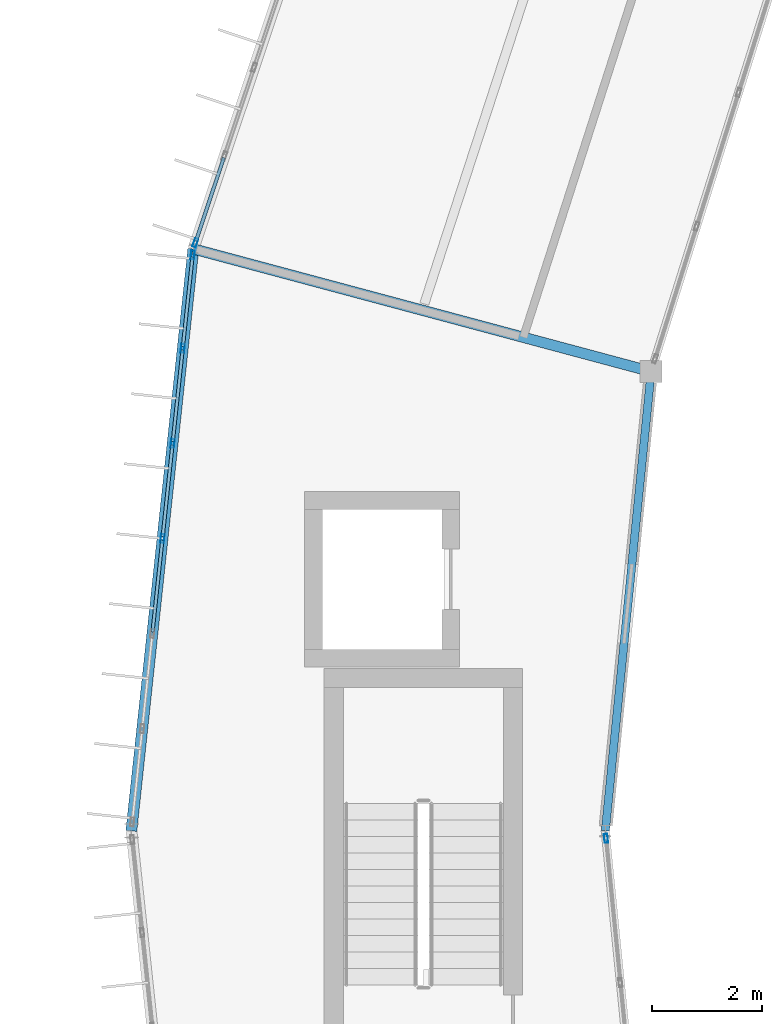
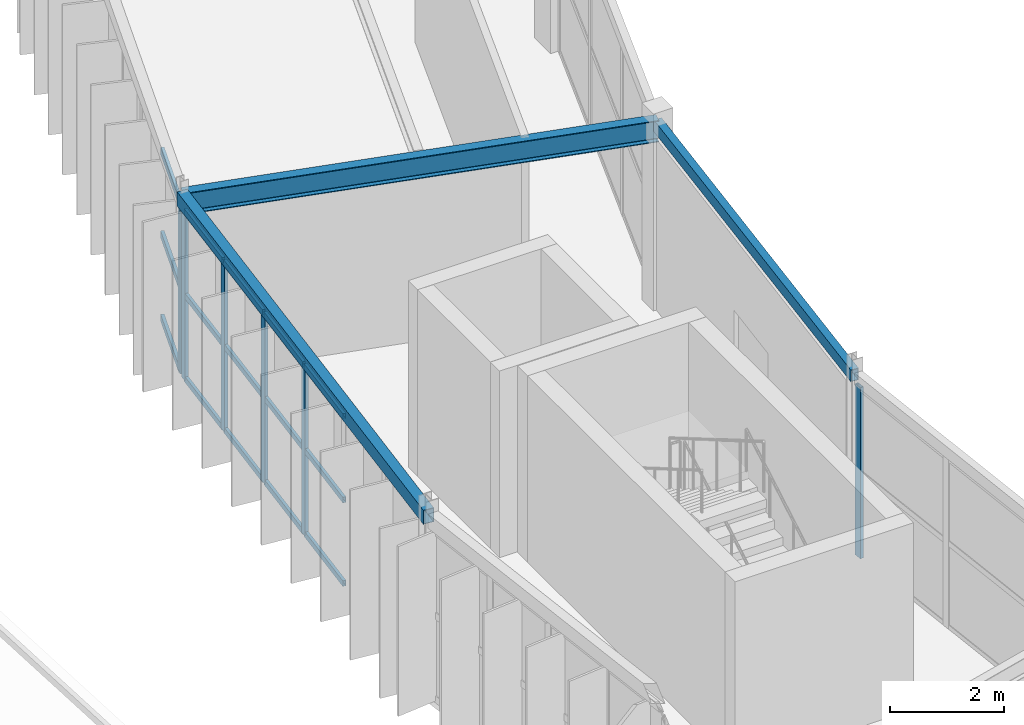
# One storey, part 42 of 134: 21 members, 3 beams, 3 elements without a shape of their own.
"""IFC4 building model written with IfcOpenShell, lengths in metres."""

from ifc_helpers import new_model, si_unit, direction, frame, origin, origin_2d, place, context, subcontext, project, spatial, hollow_rectangle, i_section, extrude, material, material_profile, profile_set, type_object, element, aggregate, save


model = new_model("IFC4")

# Units and contexts
model_context = context("Model", 3, precision=1e-05, world=origin(), true_north=direction((0.0, 1.0)))
body_context = subcontext(model_context, "Body", "Model", "MODEL_VIEW")
ifc_project = project(units=[si_unit("LENGTHUNIT", "METRE"), si_unit("AREAUNIT", "SQUARE_METRE"), si_unit("VOLUMEUNIT", "CUBIC_METRE"), si_unit("PLANEANGLEUNIT", "RADIAN"), si_unit("MASSUNIT", "GRAM", prefix="KILO")], contexts=[model_context])

# Site, building, storey
site_placement = place(None, origin())
site = spatial("IfcSite", under=ifc_project, at=site_placement, CompositionType="ELEMENT")
building_placement = place(site_placement, origin())
building = spatial("IfcBuilding", under=site, at=building_placement, Name="Karori Crest Natural Sciences Institute", CompositionType="ELEMENT")
storey_placement = place(building_placement, frame((0.0, 0.0, 21.699951171875)))
storey = spatial("IfcBuildingStorey", under=building, at=storey_placement, Name="L05", CompositionType="ELEMENT", Elevation=21.699951171875)

# Beams
ifc_material_1 = material(Name="Structural steel AS/NZS 3679.1 Grade 350", Category="steel")
ifc_material_profile_1 = material_profile(ifc_material_1, i_section(OverallWidth=0.19091796875, OverallDepth=0.4599609375, WebThickness=0.010009765625, FlangeThickness=0.01611328125, FilletRadius=0.010986328125, at=origin_2d()), Name="460UB82.1")
ifc_profile_set_1 = profile_set([ifc_material_profile_1], Name="Structural steel AS/NZS 3679.1 Grade 350")
beam_type_1 = type_object("IfcBeamType", Name="BT-06", PredefinedType="BEAM", material=ifc_profile_set_1)
beam_1_placement = place(storey_placement, frame((42.831298828125, 58.23388671875, 3.7099609375), z_axis=(-0.965925622404, 0.258819806009, 0.0), x_axis=(-0.258819806009, -0.965925622404, 0.0)))
element("IfcBeam", 1, at=beam_1_placement, inside=storey, type_object=beam_type_1, Name="Beam B-0585", PredefinedType="BEAM", context=body_context, shape_type="SweptSolid", body=[
    extrude(i_section(OverallWidth=0.19091796875, OverallDepth=0.4599609375, WebThickness=0.010009765625, FlangeThickness=0.01611328125, FilletRadius=0.010986328125, at=origin_2d()), origin(), (0.0, 0.0, 1.0), 8.599853515625),
])
ifc_material_2 = material(Name="Hollow structural steel AS/NZS 1163 Grade C350", Category="steel")
ifc_material_profile_2 = material_profile(ifc_material_2, hollow_rectangle(XDim=0.199951171875, YDim=0.300048828125, WallThickness=0.010009765625, at=origin_2d()), Name="RHS300x200x10")
ifc_profile_set_2 = profile_set([ifc_material_profile_2], Name="Hollow structural steel AS/NZS 1163 Grade C350")
beam_type_2 = type_object("IfcBeamType", Name="BT-15", PredefinedType="SPANDREL", material=ifc_profile_set_2)
beam_2_placement = place(storey_placement, frame((34.5244140625, 60.459716796875, 3.7900390625), z_axis=(-0.105891010563, -0.994377742049, 0.0), x_axis=(0.994377742049, -0.105891010563, 0.0)))
element("IfcBeam", 2, at=beam_2_placement, inside=storey, type_object=beam_type_2, Name="Beam B-0583", PredefinedType="SPANDREL", context=body_context, shape_type="SweptSolid", body=[
    extrude(hollow_rectangle(XDim=0.199951171875, YDim=0.300048828125, WallThickness=0.010009765625, at=origin_2d()), origin(), (0.0, 0.0, 1.0), 10.61962890625),
])
ifc_material_profile_3 = material_profile(ifc_material_2, hollow_rectangle(XDim=0.14990234375, YDim=0.25, WallThickness=0.009033203125, at=origin_2d()), Name="RHS250x150x9")
ifc_profile_set_3 = profile_set([ifc_material_profile_3], Name="Hollow structural steel AS/NZS 1163 Grade C350")
beam_type_3 = type_object("IfcBeamType", Name="BT-16", PredefinedType="SPANDREL", material=ifc_profile_set_3)
beam_3_placement = place(storey_placement, frame((42.831298828125, 58.23388671875, 3.7900390625), z_axis=(-0.099255508608, -0.995061979985, 0.0), x_axis=(0.995061979985, -0.099255508608, 0.0)))
element("IfcBeam", 3, at=beam_3_placement, inside=storey, type_object=beam_type_3, Name="Beam B-0584", PredefinedType="SPANDREL", context=body_context, shape_type="SweptSolid", body=[
    extrude(hollow_rectangle(XDim=0.14990234375, YDim=0.25, WallThickness=0.009033203125, at=origin_2d()), origin(), (0.0, 0.0, 1.0), 8.375244140625),
])

# Curtain wall, member
ifc_material_3 = material(Name="Anodised architectural aluminium 6063-T6", Category="aluminium")
curtain_wall_type_1 = type_object("IfcCurtainWallType", Name="CWT-01", PredefinedType="NOTDEFINED", material=ifc_material_3)
curtain_wall_1_placement = place(storey_placement, origin())
curtain_wall_1 = element("IfcCurtainWall", 4, at=curtain_wall_1_placement, inside=storey, type_object=curtain_wall_type_1, Name="Curtain wall CW-0187", PredefinedType="NOTDEFINED")
ifc_material_profile_4 = material_profile(ifc_material_3, hollow_rectangle(XDim=0.06494140625, YDim=0.159912109375, WallThickness=0.00390625, at=origin_2d()), Name="CWM160x65x4")
ifc_profile_set_4 = profile_set([ifc_material_profile_4], Name="Anodised architectural aluminium 6063-T6")
member_type_1 = type_object("IfcMemberType", Name="CWM-01", PredefinedType="MULLION", material=ifc_profile_set_4)
member_1_placement = place(storey_placement, frame((34.561279296875, 60.56982421875, 0.0), z_axis=(0.0, 0.0, 1.0), x_axis=(-0.94819805026, 0.317679803392, 0.0)))
member_1 = element("IfcMember", 5, at=member_1_placement, type_object=member_type_1, Name="CW-0187 mullion 1", PredefinedType="MULLION", context=body_context, shape_type="SweptSolid", body=[
    extrude(hollow_rectangle(XDim=0.06494140625, YDim=0.159912109375, WallThickness=0.00390625, at=origin_2d()), origin(), (0.0, 0.0, 1.0), 3.625),
])

# Curtain wall, members
curtain_wall_type_2 = type_object("IfcCurtainWallType", Name="CWT-02", PredefinedType="NOTDEFINED", material=ifc_material_3)
curtain_wall_2_placement = place(storey_placement, origin())
curtain_wall_2 = element("IfcCurtainWall", 6, at=curtain_wall_2_placement, inside=storey, type_object=curtain_wall_type_2, Name="Curtain wall CW-0189", PredefinedType="NOTDEFINED")
member_2_placement = place(storey_placement, frame((33.96484375, 55.204345703125, 0.0), z_axis=(0.0, 0.0, 1.0), x_axis=(-0.994378309998, 0.105885677057, 0.0)))
member_2 = element("IfcMember", 7, at=member_2_placement, type_object=member_type_1, Name="CW-0189 mullion 4", PredefinedType="MULLION", context=body_context, shape_type="SweptSolid", body=[
    extrude(hollow_rectangle(XDim=0.06494140625, YDim=0.159912109375, WallThickness=0.00390625, at=origin_2d()), origin(), (0.0, 0.0, 1.0), 3.625),
])
member_3_placement = place(storey_placement, frame((34.1484375, 56.9296875, 0.0), z_axis=(0.0, 0.0, 1.0), x_axis=(-0.994378309998, 0.105885677057, 0.0)))
member_3 = element("IfcMember", 8, at=member_3_placement, type_object=member_type_1, Name="CW-0189 mullion 5", PredefinedType="MULLION", context=body_context, shape_type="SweptSolid", body=[
    extrude(hollow_rectangle(XDim=0.06494140625, YDim=0.159912109375, WallThickness=0.00390625, at=origin_2d()), origin(), (0.0, 0.0, 1.0), 3.625),
])
member_4_placement = place(storey_placement, frame((34.332275390625, 58.6552734375, 0.0), z_axis=(0.0, 0.0, 1.0), x_axis=(-0.994378309998, 0.105885677057, 0.0)))
member_4 = element("IfcMember", 9, at=member_4_placement, type_object=member_type_1, Name="CW-0189 mullion 6", PredefinedType="MULLION", context=body_context, shape_type="SweptSolid", body=[
    extrude(hollow_rectangle(XDim=0.06494140625, YDim=0.159912109375, WallThickness=0.00390625, at=origin_2d()), origin(), (0.0, 0.0, 1.0), 3.625),
])
member_5_placement = place(storey_placement, frame((34.512451171875, 60.348388671875, 0.0), z_axis=(0.0, 0.0, 1.0), x_axis=(-0.994378309998, 0.105885677057, 0.0)))
member_5 = element("IfcMember", 10, at=member_5_placement, type_object=member_type_1, Name="CW-0189 mullion 7", PredefinedType="MULLION", context=body_context, shape_type="SweptSolid", body=[
    extrude(hollow_rectangle(XDim=0.06494140625, YDim=0.159912109375, WallThickness=0.00390625, at=origin_2d()), origin(), (0.0, 0.0, 1.0), 3.625),
])

# Curtain wall, member
curtain_wall_type_3 = type_object("IfcCurtainWallType", Name="CWT-13", PredefinedType="NOTDEFINED", material=ifc_material_3)
curtain_wall_3_placement = place(storey_placement, origin())
curtain_wall_3 = element("IfcCurtainWall", 11, at=curtain_wall_3_placement, inside=storey, type_object=curtain_wall_type_3, Name="Curtain wall CW-0191", PredefinedType="NOTDEFINED")
member_6_placement = place(storey_placement, frame((42.013427734375, 49.7646484375, 0.0), z_axis=(0.0, 0.0, 1.0), x_axis=(0.995060684604, 0.099268494275, 0.0)))
member_6 = element("IfcMember", 12, at=member_6_placement, type_object=member_type_1, Name="CW-0191 mullion 1", PredefinedType="MULLION", context=body_context, shape_type="SweptSolid", body=[
    extrude(hollow_rectangle(XDim=0.06494140625, YDim=0.159912109375, WallThickness=0.00390625, at=origin_2d()), origin(), (0.0, 0.0, 1.0), 3.650146484375),
])
aggregate(curtain_wall_3, [member_6])

# Member
ifc_material_profile_5 = material_profile(ifc_material_3, hollow_rectangle(XDim=0.06005859375, YDim=0.1201171875, WallThickness=0.00390625, at=origin_2d()), Name="CWT120x60x4")
ifc_profile_set_5 = profile_set([ifc_material_profile_5], Name="Anodised architectural aluminium 6063-T6")
member_type_2 = type_object("IfcMemberType", Name="CWT-TR1", PredefinedType="USERDEFINED", material=ifc_profile_set_5)
member_7_placement = place(storey_placement, frame((33.784423828125, 53.51123046875, 0.030029296875), z_axis=(0.105970559906, 0.994369267643, 0.0), x_axis=(-0.994369267643, 0.105970559906, 0.0)))
member_7 = element("IfcMember", 13, at=member_7_placement, type_object=member_type_2, Name="CW-0189 transom 3.1", ObjectType="TRANSOM", PredefinedType="USERDEFINED", context=body_context, shape_type="SweptSolid", body=[
    extrude(hollow_rectangle(XDim=0.06005859375, YDim=0.1201171875, WallThickness=0.00390625, at=origin_2d()), origin(), (0.0, 0.0, 1.0), 1.67041015625),
])

member_8_placement = place(storey_placement, frame((33.784423828125, 53.51123046875, 1.8125), z_axis=(0.105970559906, 0.994369267643, 0.0), x_axis=(-0.994369267643, 0.105970559906, 0.0)))
member_8 = element("IfcMember", 14, at=member_8_placement, type_object=member_type_2, Name="CW-0189 transom 3.2", ObjectType="TRANSOM", PredefinedType="USERDEFINED", context=body_context, shape_type="SweptSolid", body=[
    extrude(hollow_rectangle(XDim=0.06005859375, YDim=0.1201171875, WallThickness=0.00390625, at=origin_2d()), origin(), (0.0, 0.0, 1.0), 1.67041015625),
])

member_9_placement = place(storey_placement, frame((33.784423828125, 53.51123046875, 3.594970703125), z_axis=(0.105970559906, 0.994369267643, 0.0), x_axis=(-0.994369267643, 0.105970559906, 0.0)))
member_9 = element("IfcMember", 15, at=member_9_placement, type_object=member_type_2, Name="CW-0189 transom 3.3", ObjectType="TRANSOM", PredefinedType="USERDEFINED", context=body_context, shape_type="SweptSolid", body=[
    extrude(hollow_rectangle(XDim=0.06005859375, YDim=0.1201171875, WallThickness=0.00390625, at=origin_2d()), origin(), (0.0, 0.0, 1.0), 1.67041015625),
])

member_10_placement = place(storey_placement, frame((33.96826171875, 55.236572265625, 0.030029296875), z_axis=(0.105826031672, 0.994384659486, 0.0), x_axis=(-0.994384659486, 0.105826031672, 0.0)))
member_10 = element("IfcMember", 16, at=member_10_placement, type_object=member_type_2, Name="CW-0189 transom 4.1", ObjectType="TRANSOM", PredefinedType="USERDEFINED", context=body_context, shape_type="SweptSolid", body=[
    extrude(hollow_rectangle(XDim=0.06005859375, YDim=0.1201171875, WallThickness=0.00390625, at=origin_2d()), origin(), (0.0, 0.0, 1.0), 1.670166015625),
])

member_11_placement = place(storey_placement, frame((33.96826171875, 55.236572265625, 1.8125), z_axis=(0.105826031672, 0.994384659486, 0.0), x_axis=(-0.994384659486, 0.105826031672, 0.0)))
member_11 = element("IfcMember", 17, at=member_11_placement, type_object=member_type_2, Name="CW-0189 transom 4.2", ObjectType="TRANSOM", PredefinedType="USERDEFINED", context=body_context, shape_type="SweptSolid", body=[
    extrude(hollow_rectangle(XDim=0.06005859375, YDim=0.1201171875, WallThickness=0.00390625, at=origin_2d()), origin(), (0.0, 0.0, 1.0), 1.670166015625),
])

member_12_placement = place(storey_placement, frame((33.96826171875, 55.236572265625, 3.594970703125), z_axis=(0.105826031672, 0.994384659486, 0.0), x_axis=(-0.994384659486, 0.105826031672, 0.0)))
member_12 = element("IfcMember", 18, at=member_12_placement, type_object=member_type_2, Name="CW-0189 transom 4.3", ObjectType="TRANSOM", PredefinedType="USERDEFINED", context=body_context, shape_type="SweptSolid", body=[
    extrude(hollow_rectangle(XDim=0.06005859375, YDim=0.1201171875, WallThickness=0.00390625, at=origin_2d()), origin(), (0.0, 0.0, 1.0), 1.670166015625),
])

member_13_placement = place(storey_placement, frame((34.15185546875, 56.962158203125, 0.030029296875), z_axis=(0.105970559906, 0.994369267643, 0.0), x_axis=(-0.994369267643, 0.105970559906, 0.0)))
member_13 = element("IfcMember", 19, at=member_13_placement, type_object=member_type_2, Name="CW-0189 transom 5.1", ObjectType="TRANSOM", PredefinedType="USERDEFINED", context=body_context, shape_type="SweptSolid", body=[
    extrude(hollow_rectangle(XDim=0.06005859375, YDim=0.1201171875, WallThickness=0.00390625, at=origin_2d()), origin(), (0.0, 0.0, 1.0), 1.67041015625),
])

member_14_placement = place(storey_placement, frame((34.15185546875, 56.962158203125, 1.8125), z_axis=(0.105970559906, 0.994369267643, 0.0), x_axis=(-0.994369267643, 0.105970559906, 0.0)))
member_14 = element("IfcMember", 20, at=member_14_placement, type_object=member_type_2, Name="CW-0189 transom 5.2", ObjectType="TRANSOM", PredefinedType="USERDEFINED", context=body_context, shape_type="SweptSolid", body=[
    extrude(hollow_rectangle(XDim=0.06005859375, YDim=0.1201171875, WallThickness=0.00390625, at=origin_2d()), origin(), (0.0, 0.0, 1.0), 1.67041015625),
])

member_15_placement = place(storey_placement, frame((34.15185546875, 56.962158203125, 3.594970703125), z_axis=(0.105970559906, 0.994369267643, 0.0), x_axis=(-0.994369267643, 0.105970559906, 0.0)))
member_15 = element("IfcMember", 21, at=member_15_placement, type_object=member_type_2, Name="CW-0189 transom 5.3", ObjectType="TRANSOM", PredefinedType="USERDEFINED", context=body_context, shape_type="SweptSolid", body=[
    extrude(hollow_rectangle(XDim=0.06005859375, YDim=0.1201171875, WallThickness=0.00390625, at=origin_2d()), origin(), (0.0, 0.0, 1.0), 1.67041015625),
])

member_16_placement = place(storey_placement, frame((34.335693359375, 58.6875, 0.030029296875), z_axis=(0.105833094668, 0.994383907791, 0.0), x_axis=(-0.994383907791, 0.105833094668, 0.0)))
member_16 = element("IfcMember", 22, at=member_16_placement, type_object=member_type_2, Name="CW-0189 transom 6.1", ObjectType="TRANSOM", PredefinedType="USERDEFINED", context=body_context, shape_type="SweptSolid", body=[
    extrude(hollow_rectangle(XDim=0.06005859375, YDim=0.1201171875, WallThickness=0.00390625, at=origin_2d()), origin(), (0.0, 0.0, 1.0), 1.637939453125),
])

member_17_placement = place(storey_placement, frame((34.335693359375, 58.6875, 1.8125), z_axis=(0.105833094668, 0.994383907791, 0.0), x_axis=(-0.994383907791, 0.105833094668, 0.0)))
member_17 = element("IfcMember", 23, at=member_17_placement, type_object=member_type_2, Name="CW-0189 transom 6.2", ObjectType="TRANSOM", PredefinedType="USERDEFINED", context=body_context, shape_type="SweptSolid", body=[
    extrude(hollow_rectangle(XDim=0.06005859375, YDim=0.1201171875, WallThickness=0.00390625, at=origin_2d()), origin(), (0.0, 0.0, 1.0), 1.637939453125),
])

member_18_placement = place(storey_placement, frame((34.335693359375, 58.6875, 3.594970703125), z_axis=(0.105833094668, 0.994383907791, 0.0), x_axis=(-0.994383907791, 0.105833094668, 0.0)))
member_18 = element("IfcMember", 24, at=member_18_placement, type_object=member_type_2, Name="CW-0189 transom 6.3", ObjectType="TRANSOM", PredefinedType="USERDEFINED", context=body_context, shape_type="SweptSolid", body=[
    extrude(hollow_rectangle(XDim=0.06005859375, YDim=0.1201171875, WallThickness=0.00390625, at=origin_2d()), origin(), (0.0, 0.0, 1.0), 1.637939453125),
])

aggregate(curtain_wall_2, [member_2, member_3, member_4, member_5, member_7, member_8, member_9, member_10, member_11, member_12, member_13, member_14, member_15, member_16, member_17, member_18])

ifc_material_profile_6 = material_profile(ifc_material_3, hollow_rectangle(XDim=0.06494140625, YDim=0.14990234375, WallThickness=0.00390625, at=origin_2d()), Name="CWT150x65x4")
ifc_profile_set_6 = profile_set([ifc_material_profile_6], Name="Anodised architectural aluminium 6063-T6")
member_type_3 = type_object("IfcMemberType", Name="CWT-TR2", PredefinedType="USERDEFINED", material=ifc_profile_set_6)
member_19_placement = place(storey_placement, frame((34.571533203125, 60.6005859375, 0.032470703125), z_axis=(0.317695793379, 0.9481926929, 0.0), x_axis=(-0.9481926929, 0.317695793379, 0.0)))
member_19 = element("IfcMember", 25, at=member_19_placement, type_object=member_type_3, Name="CW-0187 transom 1.1", ObjectType="TRANSOM", PredefinedType="USERDEFINED", context=body_context, shape_type="SweptSolid", body=[
    extrude(hollow_rectangle(XDim=0.06494140625, YDim=0.14990234375, WallThickness=0.00390625, at=origin_2d()), origin(), (0.0, 0.0, 1.0), 1.59619140625),
])

member_20_placement = place(storey_placement, frame((34.571533203125, 60.6005859375, 1.8125), z_axis=(0.317695793379, 0.9481926929, 0.0), x_axis=(-0.9481926929, 0.317695793379, 0.0)))
member_20 = element("IfcMember", 26, at=member_20_placement, type_object=member_type_3, Name="CW-0187 transom 1.2", ObjectType="TRANSOM", PredefinedType="USERDEFINED", context=body_context, shape_type="SweptSolid", body=[
    extrude(hollow_rectangle(XDim=0.06494140625, YDim=0.14990234375, WallThickness=0.00390625, at=origin_2d()), origin(), (0.0, 0.0, 1.0), 1.59619140625),
])

member_21_placement = place(storey_placement, frame((34.571533203125, 60.6005859375, 3.592529296875), z_axis=(0.317695793379, 0.9481926929, 0.0), x_axis=(-0.9481926929, 0.317695793379, 0.0)))
member_21 = element("IfcMember", 27, at=member_21_placement, type_object=member_type_3, Name="CW-0187 transom 1.3", ObjectType="TRANSOM", PredefinedType="USERDEFINED", context=body_context, shape_type="SweptSolid", body=[
    extrude(hollow_rectangle(XDim=0.06494140625, YDim=0.14990234375, WallThickness=0.00390625, at=origin_2d()), origin(), (0.0, 0.0, 1.0), 1.59619140625),
])

aggregate(curtain_wall_1, [member_1, member_19, member_20, member_21])

save(model, "model.ifc")
